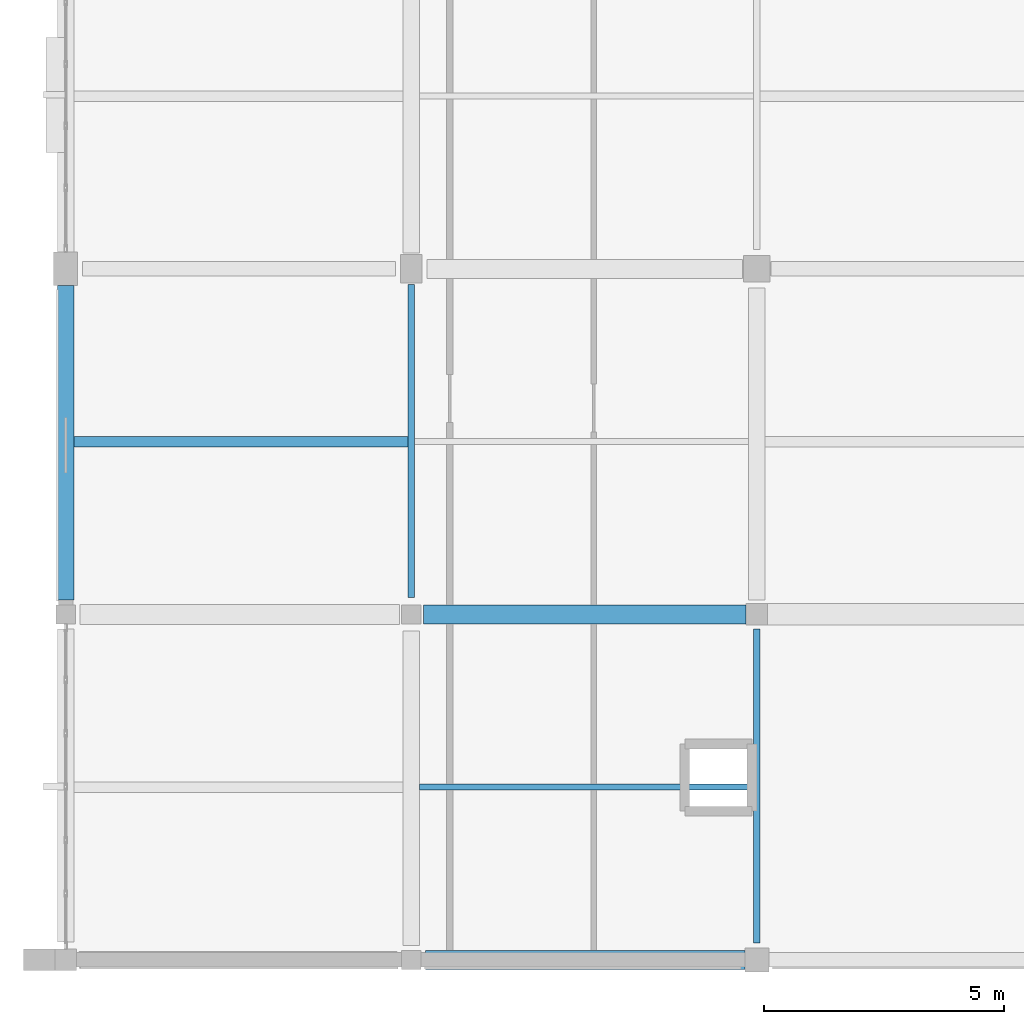
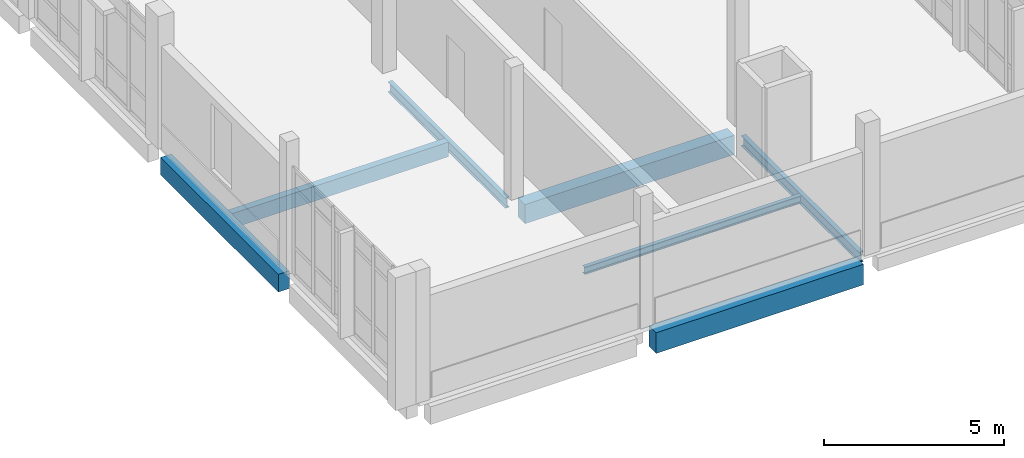
# One storey, part 4 of 87: 7 beams.
"""IFC4 building model written with IfcOpenShell, lengths in metres."""

from ifc_helpers import new_model, si_unit, direction, frame, origin, origin_2d, place, context, subcontext, project, spatial, rectangle, i_section, extrude, material, material_profile, profile_set, type_object, element, save


model = new_model("IFC4")

# Units and contexts
model_context = context("Model", 3, precision=1e-05, world=origin(), true_north=direction((0.0, 1.0)))
body_context = subcontext(model_context, "Body", "Model", "MODEL_VIEW")
ifc_project = project(units=[si_unit("LENGTHUNIT", "METRE"), si_unit("AREAUNIT", "SQUARE_METRE"), si_unit("VOLUMEUNIT", "CUBIC_METRE"), si_unit("PLANEANGLEUNIT", "RADIAN"), si_unit("MASSUNIT", "GRAM", prefix="KILO")], contexts=[model_context])

# Site, building, storey
site_placement = place(None, origin())
site = spatial("IfcSite", under=ifc_project, at=site_placement, CompositionType="ELEMENT")
building_placement = place(site_placement, origin())
building = spatial("IfcBuilding", under=site, at=building_placement, Name="Kalluvel Institute of Natural Sciences", CompositionType="ELEMENT")
storey_placement = place(building_placement, frame((0.0, 0.0, 18.89990234375)))
storey = spatial("IfcBuildingStorey", under=building, at=storey_placement, Name="L04", CompositionType="ELEMENT", Elevation=18.89990234375)

# Beams
ifc_material_1 = material(Name="Steel E350 Grade 350", Category="steel")
ifc_material_profile_1 = material_profile(ifc_material_1, i_section(OverallWidth=0.139892578125, OverallDepth=0.35009765625, WebThickness=0.008056640625, FlangeThickness=0.01416015625, FilletRadius=0.013916015625, at=origin_2d()), Name="ISMB 350")
ifc_profile_set_1 = profile_set([ifc_material_profile_1], Name="Steel E350 Grade 350")
beam_type_1 = type_object("IfcBeamType", Name="BM-ISMB350", PredefinedType="BEAM", material=ifc_profile_set_1)
beam_1_placement = place(storey_placement, frame((21.199951171875, 21.550048828125, -0.474853515625), z_axis=(0.0, 1.0, 0.0), x_axis=(-1.0, 0.0, 0.0)))
element("IfcBeam", 1, at=beam_1_placement, inside=storey, type_object=beam_type_1, Name="L04 girder GIR-L04-NS-X212-Y212", PredefinedType="BEAM", context=body_context, shape_type="SweptSolid", body=[
    extrude(i_section(OverallWidth=0.139892578125, OverallDepth=0.35009765625, WebThickness=0.008056640625, FlangeThickness=0.01416015625, FilletRadius=0.013916015625, at=origin_2d()), origin(), (0.0, 0.0, 1.0), 6.52490234375),
])
beam_2_placement = place(storey_placement, frame((28.39990234375, 14.35009765625, -0.474853515625), z_axis=(0.0, 1.0, 0.0), x_axis=(-1.0, 0.0, 0.0)))
element("IfcBeam", 2, at=beam_2_placement, inside=storey, type_object=beam_type_1, Name="L04 girder GIR-L04-NS-X284-Y140", PredefinedType="BEAM", context=body_context, shape_type="SweptSolid", body=[
    extrude(i_section(OverallWidth=0.139892578125, OverallDepth=0.35009765625, WebThickness=0.008056640625, FlangeThickness=0.01416015625, FilletRadius=0.013916015625, at=origin_2d()), origin(), (0.0, 0.0, 1.0), 6.5498046875),
])
ifc_material_2 = material(Name="Concrete M40", Category="concrete")
ifc_material_profile_2 = material_profile(ifc_material_2, rectangle(XDim=0.39990234375, YDim=0.64990234375, at=origin_2d()), Name="RCB 400x650")
ifc_profile_set_2 = profile_set([ifc_material_profile_2], Name="Concrete M40")
beam_type_2 = type_object("IfcBeamType", Name="BM-RC400x650", PredefinedType="BEAM", material=ifc_profile_set_2)
beam_3_placement = place(storey_placement, frame((21.449951171875, 21.199951171875, -0.625), z_axis=(1.0, 0.0, 0.0), x_axis=(0.0, 1.0, 0.0)))
element("IfcBeam", 3, at=beam_3_placement, inside=storey, type_object=beam_type_2, Name="L04 girder GIR-L04-EW-X212-Y212", PredefinedType="BEAM", context=body_context, shape_type="SweptSolid", body=[
    extrude(rectangle(XDim=0.39990234375, YDim=0.64990234375, at=origin_2d()), origin(), (0.0, 0.0, 1.0), 6.72509765625),
])
ifc_material_profile_3 = material_profile(ifc_material_2, rectangle(XDim=0.35009765625, YDim=0.60009765625, at=origin_2d()), Name="RCB 350x600")
ifc_profile_set_3 = profile_set([ifc_material_profile_3], Name="Concrete M40")
beam_type_3 = type_object("IfcBeamType", Name="SP-RC350x600", PredefinedType="SPANDREL", material=ifc_profile_set_3)
beam_4_placement = place(storey_placement, frame((14.0, 21.5, -0.599853515625), z_axis=(0.0, 1.0, 0.0), x_axis=(-1.0, 0.0, 0.0)))
element("IfcBeam", 4, at=beam_4_placement, inside=storey, type_object=beam_type_3, Name="L04 girder GIR-L04-NS-X140-Y212", PredefinedType="SPANDREL", context=body_context, shape_type="SweptSolid", body=[
    extrude(rectangle(XDim=0.35009765625, YDim=0.60009765625, at=origin_2d()), origin(), (0.0, 0.0, 1.0), 6.550048828125),
])
ifc_material_profile_4 = material_profile(ifc_material_2, rectangle(XDim=0.39990234375, YDim=0.699951171875, at=origin_2d()), Name="RCB 400x700")
ifc_profile_set_4 = profile_set([ifc_material_profile_4], Name="Concrete M40")
beam_type_4 = type_object("IfcBeamType", Name="SP-RC400x700", PredefinedType="SPANDREL", material=ifc_profile_set_4)
beam_5_placement = place(storey_placement, frame((21.5, 14.0, -0.64990234375), z_axis=(1.0, 0.0, 0.0), x_axis=(0.0, 1.0, 0.0)))
element("IfcBeam", 5, at=beam_5_placement, inside=storey, type_object=beam_type_4, Name="L04 girder GIR-L04-EW-X212-Y140", PredefinedType="SPANDREL", context=body_context, shape_type="SweptSolid", body=[
    extrude(rectangle(XDim=0.39990234375, YDim=0.699951171875, at=origin_2d()), origin(), (0.0, 0.0, 1.0), 6.64990234375),
])
ifc_material_profile_5 = material_profile(ifc_material_2, rectangle(XDim=0.219970703125, YDim=0.5, at=origin_2d()), Name="WAF 220x500")
ifc_profile_set_5 = profile_set([ifc_material_profile_5], Name="Concrete M40")
beam_type_5 = type_object("IfcBeamType", Name="WJ-220x500", PredefinedType="JOIST", material=ifc_profile_set_5)
beam_6_placement = place(storey_placement, frame((14.175048828125, 24.800048828125, -0.5498046875), z_axis=(1.0, 0.0, 0.0), x_axis=(0.0, 1.0, 0.0)))
element("IfcBeam", 6, at=beam_6_placement, inside=storey, type_object=beam_type_5, Name="L04 floor rib RIB-L04-0709", PredefinedType="JOIST", context=body_context, shape_type="SweptSolid", body=[
    extrude(rectangle(XDim=0.219970703125, YDim=0.5, at=origin_2d()), origin(), (0.0, 0.0, 1.0), 6.954833984375),
])
ifc_material_profile_6 = material_profile(ifc_material_1, i_section(OverallWidth=0.125, OverallDepth=0.25, WebThickness=0.0068359375, FlangeThickness=0.012451171875, FilletRadius=0.012939453125, at=origin_2d()), Name="ISMB 250")
ifc_profile_set_6 = profile_set([ifc_material_profile_6], Name="Steel E350 Grade 350")
beam_type_6 = type_object("IfcBeamType", Name="WJ-ISMB250", PredefinedType="JOIST", material=ifc_profile_set_6)
beam_7_placement = place(storey_placement, frame((21.375, 17.60009765625, -0.4248046875), z_axis=(1.0, 0.0, 0.0), x_axis=(0.0, 1.0, 0.0)))
element("IfcBeam", 7, at=beam_7_placement, inside=storey, type_object=beam_type_6, Name="L04 floor rib RIB-L04-0708", PredefinedType="JOIST", context=body_context, shape_type="SweptSolid", body=[
    extrude(i_section(OverallWidth=0.125, OverallDepth=0.25, WebThickness=0.0068359375, FlangeThickness=0.012451171875, FilletRadius=0.012939453125, at=origin_2d()), origin(), (0.0, 0.0, 1.0), 6.955078125),
])

save(model, "model.ifc")
